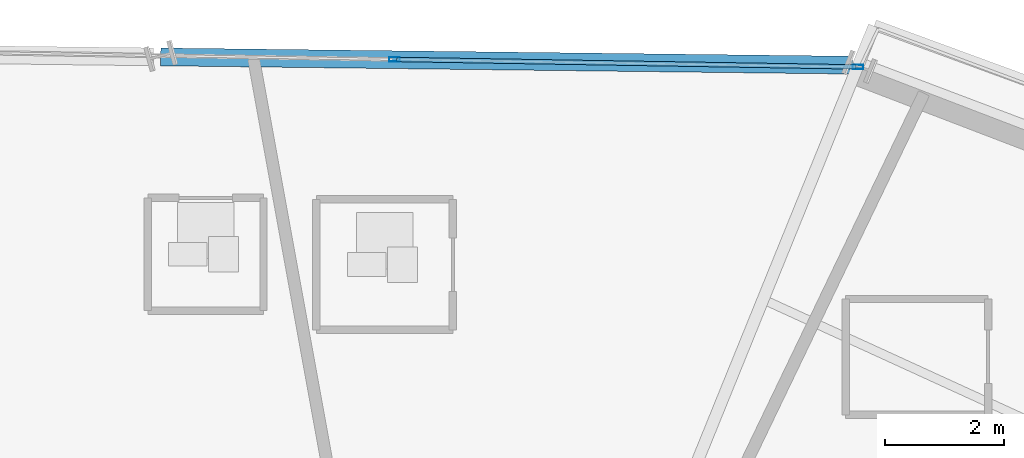
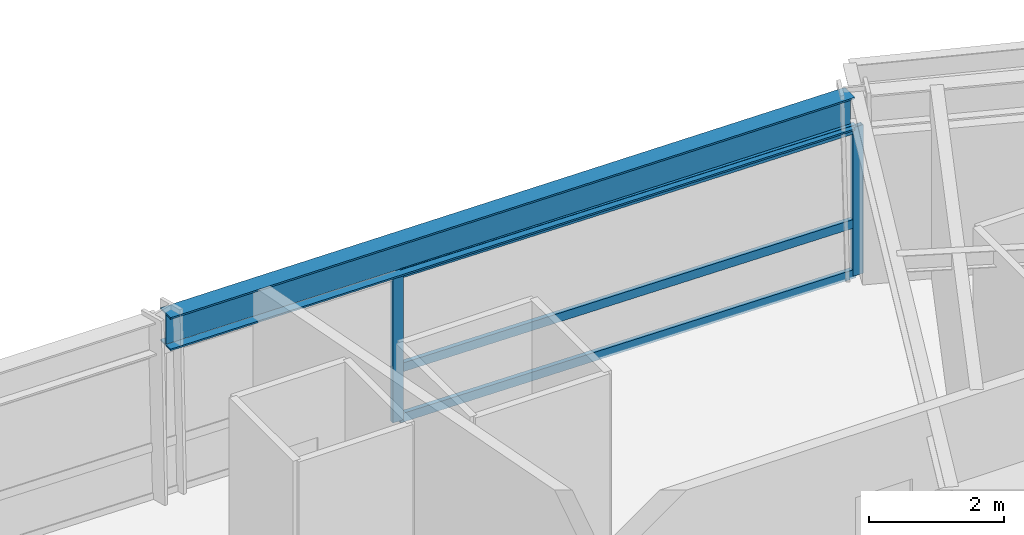
# One storey, part 8 of 22: 5 members, 1 beam, 1 element without a shape of its own.
"""IFC4 building model written with IfcOpenShell, lengths in metres."""

import ifcopenshell
import ifcopenshell.guid

model = None  # the IFC model being written
_history = None  # IfcOwnerHistory: only IFC2X3 demands one
_inside = {}  # id of a spatial element -> (the spatial element, [elements in it])
_under = {}  # id of a project, library or spatial element -> (it, [spatial elements below it])
_declared = {}  # id of a project -> (the project, [libraries it declares])
_typed = {}  # id of a type object -> (the type object, [elements of that type])
_made_of = {}  # id of a material, layer set ... -> (it, [elements and type objects made of it])


def new_model(schema):
    """Start an empty IFC model of exactly this schema.

    Asked for "IFC4X3", IfcOpenShell would pick the latest addendum, in which some entities
    have other attributes; the version numbers below select the first issue.
    IFC2X3 requires an IfcOwnerHistory on every rooted entity: one is made here for all.
    """
    global model, _history
    if schema == "IFC4X3":
        model = ifcopenshell.file(schema_version=(4, 3, 0, 0))
    else:
        model = ifcopenshell.file(schema=schema)
    _inside.clear()
    _under.clear()
    _declared.clear()
    _typed.clear()
    _made_of.clear()
    _history = None
    if model.schema == "IFC2X3":
        org = make("IfcOrganization", Name="unknown")
        user = make(
            "IfcPersonAndOrganization",
            ThePerson=make("IfcPerson", FamilyName="unknown"),
            TheOrganization=org,
        )
        app = make(
            "IfcApplication",
            ApplicationDeveloper=org,
            Version="unknown",
            ApplicationFullName="unknown",
            ApplicationIdentifier="unknown",
        )
        _history = make(
            "IfcOwnerHistory",
            OwningUser=user,
            OwningApplication=app,
            ChangeAction="ADDED",
            CreationDate=0,
        )
    return model


def make(cls, **values):
    """One entity of the class cls with the attributes given. An attribute that is None is left unset."""
    return model.create_entity(
        cls, **{name: value for name, value in values.items() if value is not None}
    )


def rooted(cls, **values):
    """An entity with a GlobalId (a new one), such as an element, a storey or a relation."""
    return make(cls, GlobalId=ifcopenshell.guid.new(), OwnerHistory=_history, **values)


def si_unit(unit_type, name, prefix=None):
    """IfcSIUnit, for example si_unit("LENGTHUNIT", "METRE", prefix="MILLI")."""
    return make("IfcSIUnit", UnitType=unit_type, Prefix=prefix, Name=name)


def assignment(units):
    """IfcUnitAssignment: the units of a project."""
    return None if units is None else make("IfcUnitAssignment", Units=units)


def point(xyz):
    """IfcCartesianPoint."""
    return None if xyz is None else make("IfcCartesianPoint", Coordinates=xyz)


def direction(xyz):
    """IfcDirection."""
    return None if xyz is None else make("IfcDirection", DirectionRatios=xyz)


def frame(location, z_axis=None, x_axis=None):
    """IfcAxis2Placement3D, a coordinate frame: its origin and axes. An axis left out is left unset."""
    return make(
        "IfcAxis2Placement3D",
        Location=point(location),
        Axis=direction(z_axis),
        RefDirection=direction(x_axis),
    )


def frame_2d(location, x_axis=None):
    """IfcAxis2Placement2D, a coordinate frame in the plane: its origin and x axis."""
    return make(
        "IfcAxis2Placement2D", Location=point(location), RefDirection=direction(x_axis)
    )


def origin():
    """The frame at (0, 0, 0) with its axes left unset."""
    return frame((0.0, 0.0, 0.0))


def origin_2d():
    """The frame at (0, 0) in the plane with its x axis left unset."""
    return frame_2d((0.0, 0.0))


def place(relative_to, where):
    """IfcLocalPlacement: puts the frame where relative to a parent placement (None: the world)."""
    return make(
        "IfcLocalPlacement", PlacementRelTo=relative_to, RelativePlacement=where
    )


def context(
    kind, dimensions, precision=None, world=None, true_north=None, identifier=None
):
    """IfcGeometricRepresentationContext, for example the 3D "Model" context."""
    return make(
        "IfcGeometricRepresentationContext",
        ContextIdentifier=identifier,
        ContextType=kind,
        CoordinateSpaceDimension=dimensions,
        Precision=precision,
        WorldCoordinateSystem=world,
        TrueNorth=true_north,
    )


def subcontext(parent, identifier, kind, view, scale=None):
    """IfcGeometricRepresentationSubContext, for example "Body" below "Model"."""
    return make(
        "IfcGeometricRepresentationSubContext",
        ContextIdentifier=identifier,
        ContextType=kind,
        ParentContext=parent,
        TargetScale=scale,
        TargetView=view,
    )


def project(units=None, contexts=None):
    """IfcProject with its units and contexts."""
    return rooted(
        "IfcProject",
        Name="project",
        RepresentationContexts=contexts,
        UnitsInContext=assignment(units),
    )


def spatial(cls, under=None, at=None, **own):
    """A site, building, storey or space (cls), placed at a placement, below another one or the project."""
    s = rooted(cls, ObjectPlacement=at, **own)
    if under is not None:
        _under.setdefault(under.id(), (under, []))[1].append(s)
    return s


def profile(cls, at=None, kind="AREA", **sizes):
    """A parametric profile (cls). Its sizes go by their IFC names, for example OverallWidth=200.0."""
    return make(cls, ProfileType=kind, Position=at, **sizes)


def hollow_rectangle(**sizes):
    """IfcRectangleHollowProfileDef."""
    return profile("IfcRectangleHollowProfileDef", **sizes)


def i_section(**sizes):
    """IfcIShapeProfileDef."""
    return profile("IfcIShapeProfileDef", **sizes)


def extrude(swept, where, along, depth):
    """IfcExtrudedAreaSolid: the profile swept, set in the frame where, extruded along a direction by depth."""
    return make(
        "IfcExtrudedAreaSolid",
        SweptArea=swept,
        Position=where,
        ExtrudedDirection=direction(along),
        Depth=depth,
    )


def shape(context_of_items, identifier, shape_type, items):
    """IfcShapeRepresentation: the items that make up one representation, for example the "Body"."""
    return make(
        "IfcShapeRepresentation",
        ContextOfItems=context_of_items,
        RepresentationIdentifier=identifier,
        RepresentationType=shape_type,
        Items=items,
    )


def source(mapping_origin, context_of_items, identifier, shape_type, items):
    """IfcRepresentationMap: a shape defined once, which mapped items show again and again."""
    return make(
        "IfcRepresentationMap",
        MappingOrigin=mapping_origin,
        MappedRepresentation=shape(context_of_items, identifier, shape_type, items),
    )


def transform(
    local_origin,
    x_axis=None,
    y_axis=None,
    z_axis=None,
    scale=None,
    scale2=None,
    scale3=None,
    uniform=True,
):
    """IfcCartesianTransformationOperator3D, or its non-uniform kind. x_axis, y_axis, z_axis: its Axis1, 2, 3."""
    if uniform:
        return make(
            "IfcCartesianTransformationOperator3D",
            Axis1=direction(x_axis),
            Axis2=direction(y_axis),
            LocalOrigin=point(local_origin),
            Scale=scale,
            Axis3=direction(z_axis),
        )
    return make(
        "IfcCartesianTransformationOperator3DnonUniform",
        Axis1=direction(x_axis),
        Axis2=direction(y_axis),
        LocalOrigin=point(local_origin),
        Scale=scale,
        Axis3=direction(z_axis),
        Scale2=scale2,
        Scale3=scale3,
    )


def mapped(mapping_source, mapping_target):
    """IfcMappedItem: shows the shape of a source again, moved by a transform."""
    return make(
        "IfcMappedItem", MappingSource=mapping_source, MappingTarget=mapping_target
    )


def material(Name=None, Category=None):
    """IfcMaterial."""
    return make("IfcMaterial", Name=Name, Category=Category)


def material_profile(
    of_material, cross_section, Name=None, Category=None, Priority=None
):
    """IfcMaterialProfile: a cross section and its material."""
    return make(
        "IfcMaterialProfile",
        Name=Name,
        Material=of_material,
        Profile=cross_section,
        Priority=Priority,
        Category=Category,
    )


def profile_set(profiles, Name=None, composite=None):
    """IfcMaterialProfileSet."""
    return make(
        "IfcMaterialProfileSet",
        Name=Name,
        MaterialProfiles=profiles,
        CompositeProfile=composite,
    )


def made_of(thing, what):
    """Note that an element or type object is made of a material, layer set ...; save() writes the relation."""
    if what is not None:
        _made_of.setdefault(what.id(), (what, []))[1].append(thing)
    return thing


def type_object(cls, material=None, **own):
    """A type object (cls), such as IfcWallType, which elements share."""
    return made_of(rooted(cls, **own), material)


def element(
    cls,
    number,
    at=None,
    inside=None,
    cuts=None,
    type_object=None,
    material=None,
    context=None,
    identifier="Body",
    shape_type=None,
    held_by="IfcProductDefinitionShape",
    body=None,
    shapes=None,
    **own,
):
    """One element of the class cls, such as IfcWall. Its Tag is "e" and its number.

    at: its placement. inside: the storey or other place that contains it. cuts: it is an
    opening in that element (IfcRelVoidsElement). A single representation is given by context,
    identifier, shape_type and body (its items); several are given by shapes. held_by: the class
    of the entity that holds the representations. save() writes the other relations.
    """
    e = rooted(cls, Tag="e%d" % number, ObjectPlacement=at, **own)
    if body is not None:
        shapes = [shape(context, identifier, shape_type, body)]
    if shapes is not None:
        e.Representation = make(held_by, Representations=shapes)
    if inside is not None:
        _inside.setdefault(inside.id(), (inside, []))[1].append(e)
    if cuts is not None:
        rooted(
            "IfcRelVoidsElement", RelatingBuildingElement=cuts, RelatedOpeningElement=e
        )
    if type_object is not None:
        _typed.setdefault(type_object.id(), (type_object, []))[1].append(e)
    return made_of(e, material)


def aggregate(whole, parts):
    """IfcRelAggregates: a whole, such as a stair, and the parts it consists of."""
    return rooted("IfcRelAggregates", RelatingObject=whole, RelatedObjects=parts)


def save(model, path):
    """Write the relations noted so far, then the file.

    IfcRelAggregates (storeys below a building ...), IfcRelContainedInSpatialStructure (elements
    in a storey), IfcRelDefinesByType, IfcRelAssociatesMaterial and IfcRelDeclares: one each for
    every whole, place, type object, material and project.
    """
    for whole, parts in _under.values():
        aggregate(whole, parts)
    for where, things in _inside.values():
        rooted(
            "IfcRelContainedInSpatialStructure",
            RelatedElements=things,
            RelatingStructure=where,
        )
    for kind, things in _typed.values():
        rooted("IfcRelDefinesByType", RelatedObjects=things, RelatingType=kind)
    for what, things in _made_of.values():
        rooted("IfcRelAssociatesMaterial", RelatedObjects=things, RelatingMaterial=what)
    for by, libraries in _declared.values():
        rooted("IfcRelDeclares", RelatingContext=by, RelatedDefinitions=libraries)
    model.write(path)


model = new_model("IFC4")

# Units and contexts
model_context = context("Model", 3, precision=1e-05, world=origin(), true_north=direction((0.0, 1.0)))
body_context = subcontext(model_context, "Body", "Model", "MODEL_VIEW")
ifc_project = project(units=[si_unit("LENGTHUNIT", "METRE"), si_unit("AREAUNIT", "SQUARE_METRE"), si_unit("VOLUMEUNIT", "CUBIC_METRE"), si_unit("PLANEANGLEUNIT", "RADIAN"), si_unit("MASSUNIT", "GRAM", prefix="KILO")], contexts=[model_context])

# Site, building, storey
site_placement = place(None, origin())
site = spatial("IfcSite", under=ifc_project, at=site_placement, CompositionType="ELEMENT")
building_placement = place(site_placement, origin())
building = spatial("IfcBuilding", under=site, at=building_placement, Name="Olszyna Solenne Hotel", CompositionType="ELEMENT")
storey_placement = place(building_placement, frame((0.0, 0.0, 87.949951171875)))
storey = spatial("IfcBuildingStorey", under=building, at=storey_placement, Name="L22", CompositionType="ELEMENT", Elevation=87.949951171875)

# Beam
ifc_material_1 = material(Name="Steel S355J2", Category="steel")
ifc_material_profile_1 = material_profile(ifc_material_1, i_section(OverallWidth=0.300048828125, OverallDepth=0.60009765625, WebThickness=0.015380859375, FlangeThickness=0.030029296875, at=origin_2d()), Name="HEB 600", Category="load-bearing")
ifc_profile_set_1 = profile_set([ifc_material_profile_1], Name="Steel S355J2")
beam_type = type_object("IfcBeamType", Name="BM-S2", PredefinedType="BEAM", material=ifc_profile_set_1)
shared_shape_1 = source(origin(), body_context, "Body", "SweptSolid", [
    extrude(i_section(OverallWidth=0.300048828125, OverallDepth=0.60009765625, WebThickness=0.015380859375, FlangeThickness=0.030029296875, at=origin_2d()), origin(), (0.0, 0.0, 1.0), 11.651611328125),
])
beam_placement = place(storey_placement, frame((44.912109375, 43.950927734375, 3.0), z_axis=(-0.999928925967, 0.011922374563, 0.0), x_axis=(-0.011922374563, -0.999928925967, 0.0)))
element("IfcBeam", 1, at=beam_placement, inside=storey, type_object=beam_type, Name="Perimeter spandrel beam BM-S2 B-L22-0664", PredefinedType="BEAM", context=body_context, shape_type="MappedRepresentation", body=[
    mapped(shared_shape_1, transform((0.0, 0.0, 0.0), x_axis=(1.0, 0.0, 0.0), y_axis=(0.0, 1.0, 0.0), z_axis=(0.0, 0.0, 1.0), scale=1.0)),
])

# Curtain wall, members
ifc_material_2 = material(Name="Anodised bronze aluminium", Category="aluminium")
curtain_wall_type = type_object("IfcCurtainWallType", Name="CW-SYS-3", PredefinedType="NOTDEFINED", material=ifc_material_2)
curtain_wall_placement = place(storey_placement, origin())
curtain_wall = element("IfcCurtainWall", 2, at=curtain_wall_placement, inside=storey, type_object=curtain_wall_type, Name="Unitised curtain wall CW-SYS-3 CW-L22-02", PredefinedType="NOTDEFINED")
ifc_material_profile_2 = material_profile(ifc_material_2, hollow_rectangle(XDim=0.074951171875, YDim=0.179931640625, WallThickness=0.00439453125, at=origin_2d()), Name="MULL 180x75x4.5", Category="load-bearing")
ifc_profile_set_2 = profile_set([ifc_material_profile_2], Name="Anodised bronze aluminium")
member_type_1 = type_object("IfcMemberType", Name="CW-M2", PredefinedType="MULLION", material=ifc_profile_set_2)
shared_shape_2 = source(origin(), body_context, "Body", "SweptSolid", [
    extrude(hollow_rectangle(XDim=0.074951171875, YDim=0.179931640625, WallThickness=0.00439453125, at=origin_2d()), origin(), (0.0, 0.0, 1.0), 2.692138671875),
])
member_1_placement = place(storey_placement, frame((37.200927734375, 44.04736328125, 0.0), z_axis=(0.0, 0.0, 1.0), x_axis=(0.016293434532, 0.999867253185, 0.0)))
member_1 = element("IfcMember", 3, at=member_1_placement, type_object=member_type_1, Name="Curtain-wall mullion CW-M2 CM-L22-02-03", PredefinedType="MULLION", context=body_context, shape_type="MappedRepresentation", body=[
    mapped(shared_shape_2, transform((0.0, 0.0, 0.0), x_axis=(1.0, 0.0, 0.0), y_axis=(0.0, 1.0, 0.0), z_axis=(0.0, 0.0, 1.0), scale=1.0)),
])
member_2_placement = place(storey_placement, frame((45.01025390625, 43.920166015625, 0.0), z_axis=(0.0, 0.0, 1.0), x_axis=(0.016293434532, 0.999867253185, 0.0)))
member_2 = element("IfcMember", 4, at=member_2_placement, type_object=member_type_1, Name="Curtain-wall mullion CW-M2 CM-L22-02-04", PredefinedType="MULLION", context=body_context, shape_type="MappedRepresentation", body=[
    mapped(shared_shape_2, transform((0.0, 0.0, 0.0), x_axis=(1.0, 0.0, 0.0), y_axis=(0.0, 1.0, 0.0), z_axis=(0.0, 0.0, 1.0), scale=1.0)),
])
ifc_material_profile_3 = material_profile(ifc_material_2, hollow_rectangle(XDim=0.074951171875, YDim=0.159912109375, WallThickness=0.00390625, at=origin_2d()), Name="TRAN 160x75x4", Category="load-bearing")
ifc_profile_set_3 = profile_set([ifc_material_profile_3], Name="Anodised bronze aluminium")
member_type_2 = type_object("IfcMemberType", Name="CW-T1", PredefinedType="USERDEFINED", material=ifc_profile_set_3)
shared_shape_3 = source(origin(), body_context, "Body", "SweptSolid", [
    extrude(hollow_rectangle(XDim=0.074951171875, YDim=0.159912109375, WallThickness=0.00390625, at=origin_2d()), origin(), (0.0, 0.0, 1.0), 7.735107421875),
])
member_3_placement = place(storey_placement, frame((37.238525390625, 44.046875, 0.03759765625), z_axis=(0.999867370518, -0.016286232621, 0.0), x_axis=(0.016286232621, 0.999867370518, 0.0)))
member_3 = element("IfcMember", 5, at=member_3_placement, type_object=member_type_2, Name="Curtain-wall transom CW-T1 CT-L22-02-07", ObjectType="TRANSOM", PredefinedType="USERDEFINED", context=body_context, shape_type="MappedRepresentation", body=[
    mapped(shared_shape_3, transform((0.0, 0.0, 0.0), x_axis=(1.0, 0.0, 0.0), y_axis=(0.0, 1.0, 0.0), z_axis=(0.0, 0.0, 1.0), scale=1.0)),
])
member_4_placement = place(storey_placement, frame((37.238525390625, 44.046875, 0.949951171875), z_axis=(0.999867370518, -0.016286232621, 0.0), x_axis=(0.016286232621, 0.999867370518, 0.0)))
member_4 = element("IfcMember", 6, at=member_4_placement, type_object=member_type_2, Name="Curtain-wall transom CW-T1 CT-L22-02-08", ObjectType="TRANSOM", PredefinedType="USERDEFINED", context=body_context, shape_type="MappedRepresentation", body=[
    mapped(shared_shape_3, transform((0.0, 0.0, 0.0), x_axis=(1.0, 0.0, 0.0), y_axis=(0.0, 1.0, 0.0), z_axis=(0.0, 0.0, 1.0), scale=1.0)),
])
member_5_placement = place(storey_placement, frame((37.238525390625, 44.046875, 2.654541015625), z_axis=(0.999867370518, -0.016286232621, 0.0), x_axis=(0.016286232621, 0.999867370518, 0.0)))
member_5 = element("IfcMember", 7, at=member_5_placement, type_object=member_type_2, Name="Curtain-wall transom CW-T1 CT-L22-02-09", ObjectType="TRANSOM", PredefinedType="USERDEFINED", context=body_context, shape_type="MappedRepresentation", body=[
    mapped(shared_shape_3, transform((0.0, 0.0, 0.0), x_axis=(1.0, 0.0, 0.0), y_axis=(0.0, 1.0, 0.0), z_axis=(0.0, 0.0, 1.0), scale=1.0)),
])
aggregate(curtain_wall, [member_1, member_2, member_3, member_4, member_5])

save(model, "model.ifc")
